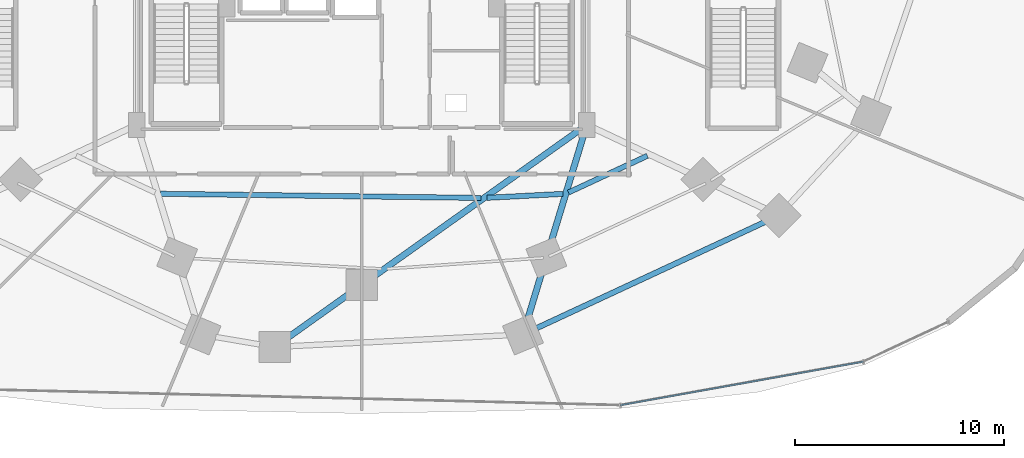
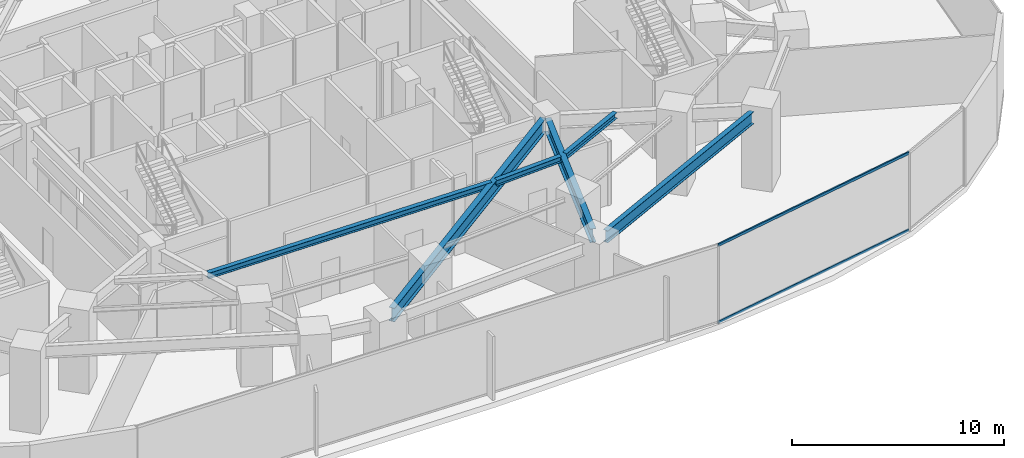
# One storey, part 9 of 27: 6 beams, 2 members, 1 element without a shape of its own.
"""IFC4 building model written with IfcOpenShell, lengths in metres."""

from ifc_helpers import new_model, si_unit, direction, frame, origin, origin_2d, place, context, subcontext, project, spatial, hollow_rectangle, i_section, extrude, material, material_profile, profile_set, type_object, element, aggregate, save


model = new_model("IFC4")

# Units and contexts
model_context = context("Model", 3, precision=1e-05, world=origin(), true_north=direction((0.0, 1.0)))
body_context = subcontext(model_context, "Body", "Model", "MODEL_VIEW")
ifc_project = project(units=[si_unit("LENGTHUNIT", "METRE"), si_unit("AREAUNIT", "SQUARE_METRE"), si_unit("VOLUMEUNIT", "CUBIC_METRE"), si_unit("PLANEANGLEUNIT", "RADIAN"), si_unit("MASSUNIT", "GRAM", prefix="KILO")], contexts=[model_context])

# Site, building, storey
site_placement = place(None, origin())
site = spatial("IfcSite", under=ifc_project, at=site_placement, CompositionType="ELEMENT")
building_placement = place(site_placement, origin())
building = spatial("IfcBuilding", under=site, at=building_placement, Name="Vorneva Point Tower", CompositionType="ELEMENT")
storey_placement = place(building_placement, frame((0.0, 0.0, 4.800048828125)))
storey = spatial("IfcBuildingStorey", under=building, at=storey_placement, Name="L01", CompositionType="ELEMENT", Elevation=4.800048828125)

# Beams
ifc_material_1 = material(Name="Steel S355", Category="steel")
ifc_material_profile_1 = material_profile(ifc_material_1, i_section(OverallWidth=0.300048828125, OverallDepth=0.7880859375, WebThickness=0.014404296875, FlangeThickness=0.02197265625, at=origin_2d()), Name="80Sh1")
ifc_profile_set_1 = profile_set([ifc_material_profile_1], Name="Steel S355")
beam_type_1 = type_object("IfcBeamType", Name="BM-GRD-80Sh1", PredefinedType="USERDEFINED", material=ifc_profile_set_1)
beam_1_placement = place(storey_placement, frame((34.441650390625, 6.267822265625, 4.0859375), z_axis=(0.814754265282, 0.579806422184, 0.0), x_axis=(-0.579806422184, 0.814754265282, 0.0)))
element("IfcBeam", 1, at=beam_1_placement, inside=storey, type_object=beam_type_1, Name="L01 Radial Primary Girder 13", ObjectType="GIRDER", PredefinedType="USERDEFINED", context=body_context, shape_type="SweptSolid", body=[
    extrude(i_section(OverallWidth=0.300048828125, OverallDepth=0.7880859375, WebThickness=0.014404296875, FlangeThickness=0.02197265625, at=origin_2d()), origin(), (0.0, 0.0, 1.0), 17.221435546875),
])
beam_2_placement = place(storey_placement, frame((45.91796875, 7.14111328125, 4.0859375), z_axis=(0.291040566437, 0.956710713167, 0.0), x_axis=(-0.956710713167, 0.291040566437, 0.0)))
element("IfcBeam", 2, at=beam_2_placement, inside=storey, type_object=beam_type_1, Name="L01 Radial Primary Girder 14", ObjectType="GIRDER", PredefinedType="USERDEFINED", context=body_context, shape_type="SweptSolid", body=[
    extrude(i_section(OverallWidth=0.300048828125, OverallDepth=0.7880859375, WebThickness=0.014404296875, FlangeThickness=0.02197265625, at=origin_2d()), origin(), (0.0, 0.0, 1.0), 9.39013671875),
])
ifc_material_profile_2 = material_profile(ifc_material_1, i_section(OverallWidth=0.2490234375, OverallDepth=0.333984375, WebThickness=0.008056640625, FlangeThickness=0.010986328125, at=origin_2d()), Name="35Sh1")
ifc_profile_set_2 = profile_set([ifc_material_profile_2], Name="Steel S355")
beam_type_2 = type_object("IfcBeamType", Name="BM-SEC-35Sh1", PredefinedType="BEAM", material=ifc_profile_set_2)
beam_3_placement = place(storey_placement, frame((28.388916015625, 13.158447265625, 4.31298828125), z_axis=(0.999915827183, -0.012974534668, 0.0), x_axis=(0.012974534668, 0.999915827183, 0.0)))
element("IfcBeam", 3, at=beam_3_placement, inside=storey, type_object=beam_type_2, Name="L01 Secondary Floor Beam 2.12", PredefinedType="BEAM", context=body_context, shape_type="SweptSolid", body=[
    extrude(i_section(OverallWidth=0.2490234375, OverallDepth=0.333984375, WebThickness=0.008056640625, FlangeThickness=0.010986328125, at=origin_2d()), origin(), (0.0, 0.0, 1.0), 15.31689453125),
])
beam_4_placement = place(storey_placement, frame((43.98046875, 12.965087890625, 4.31298828125), z_axis=(0.998662355762, 0.051705891201, 0.0), x_axis=(-0.051705891201, 0.998662355762, 0.0)))
element("IfcBeam", 4, at=beam_4_placement, inside=storey, type_object=beam_type_2, Name="L01 Secondary Floor Beam 2.13", PredefinedType="BEAM", context=body_context, shape_type="SweptSolid", body=[
    extrude(i_section(OverallWidth=0.2490234375, OverallDepth=0.333984375, WebThickness=0.008056640625, FlangeThickness=0.010986328125, at=origin_2d()), origin(), (0.0, 0.0, 1.0), 3.6357421875),
])
beam_5_placement = place(storey_placement, frame((47.874267578125, 13.21826171875, 4.31298828125), z_axis=(0.906733126225, 0.42170491793, 0.0), x_axis=(-0.42170491793, 0.906733126225, 0.0)))
element("IfcBeam", 5, at=beam_5_placement, inside=storey, type_object=beam_type_2, Name="L01 Secondary Floor Beam 2.14", PredefinedType="BEAM", context=body_context, shape_type="SweptSolid", body=[
    extrude(i_section(OverallWidth=0.2490234375, OverallDepth=0.333984375, WebThickness=0.008056640625, FlangeThickness=0.010986328125, at=origin_2d()), origin(), (0.0, 0.0, 1.0), 4.15625),
])
ifc_material_profile_3 = material_profile(ifc_material_1, i_section(OverallWidth=0.260009765625, OverallDepth=0.69091796875, WebThickness=0.011962890625, FlangeThickness=0.015380859375, at=origin_2d()), Name="70B1")
ifc_profile_set_3 = profile_set([ifc_material_profile_3], Name="Steel S355")
beam_type_3 = type_object("IfcBeamType", Name="BM-SPN-70B1", PredefinedType="SPANDREL", material=ifc_profile_set_3)
beam_6_placement = place(storey_placement, frame((46.36962890625, 6.7451171875, 4.134521484375), z_axis=(0.906780872519, 0.421602240547, 0.0), x_axis=(-0.421602240547, 0.906780872519, 0.0)))
element("IfcBeam", 6, at=beam_6_placement, inside=storey, type_object=beam_type_3, Name="L01 Perimeter Spandrel Ring Beam 14", PredefinedType="SPANDREL", context=body_context, shape_type="SweptSolid", body=[
    extrude(i_section(OverallWidth=0.260009765625, OverallDepth=0.69091796875, WebThickness=0.011962890625, FlangeThickness=0.015380859375, at=origin_2d()), origin(), (0.0, 0.0, 1.0), 12.0234375),
])

# Curtain wall, members
ifc_material_2 = material(Name="Pale anodised aluminium", Category="aluminium")
curtain_wall_type = type_object("IfcCurtainWallType", Name="CW-POD-SYS", PredefinedType="NOTDEFINED", material=ifc_material_2)
curtain_wall_placement = place(storey_placement, origin())
curtain_wall = element("IfcCurtainWall", 7, at=curtain_wall_placement, inside=storey, type_object=curtain_wall_type, Name="L01 Unitised Curtain Wall CW-L01-R04", PredefinedType="NOTDEFINED")
ifc_material_profile_4 = material_profile(ifc_material_2, hollow_rectangle(XDim=0.074951171875, YDim=0.14990234375, WallThickness=0.00390625, at=origin_2d()), Name="AL-TRN 150x75x4")
ifc_profile_set_4 = profile_set([ifc_material_profile_4], Name="Pale anodised aluminium")
member_type = type_object("IfcMemberType", Name="CW-TRN-150", PredefinedType="USERDEFINED", material=ifc_profile_set_4)
member_1_placement = place(storey_placement, frame((50.357177734375, 3.056396484375, 0.02001953125), z_axis=(0.984322588516, 0.176377554515, 0.0), x_axis=(-0.176377554515, 0.984322588516, 0.0)))
member_1 = element("IfcMember", 8, at=member_1_placement, type_object=member_type, Name="CW-L01-R04 Transom 02.1", ObjectType="TRANSOM", PredefinedType="USERDEFINED", context=body_context, shape_type="SweptSolid", body=[
    extrude(hollow_rectangle(XDim=0.074951171875, YDim=0.14990234375, WallThickness=0.00390625, at=origin_2d()), origin(), (0.0, 0.0, 1.0), 11.79052734375),
])
member_2_placement = place(storey_placement, frame((50.357177734375, 3.056396484375, 4.4599609375), z_axis=(0.984322588516, 0.176377554515, 0.0), x_axis=(-0.176377554515, 0.984322588516, 0.0)))
member_2 = element("IfcMember", 9, at=member_2_placement, type_object=member_type, Name="CW-L01-R04 Transom 02.2", ObjectType="TRANSOM", PredefinedType="USERDEFINED", context=body_context, shape_type="SweptSolid", body=[
    extrude(hollow_rectangle(XDim=0.074951171875, YDim=0.14990234375, WallThickness=0.00390625, at=origin_2d()), origin(), (0.0, 0.0, 1.0), 11.79052734375),
])
aggregate(curtain_wall, [member_1, member_2])

save(model, "model.ifc")
